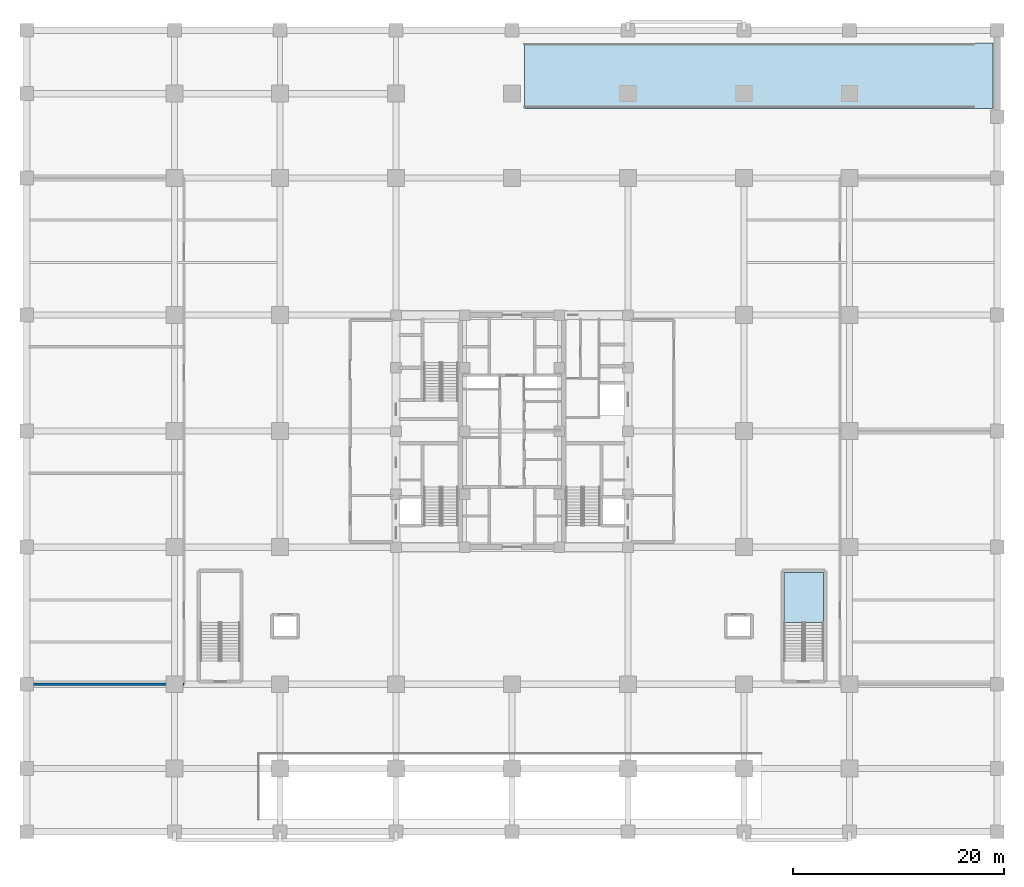
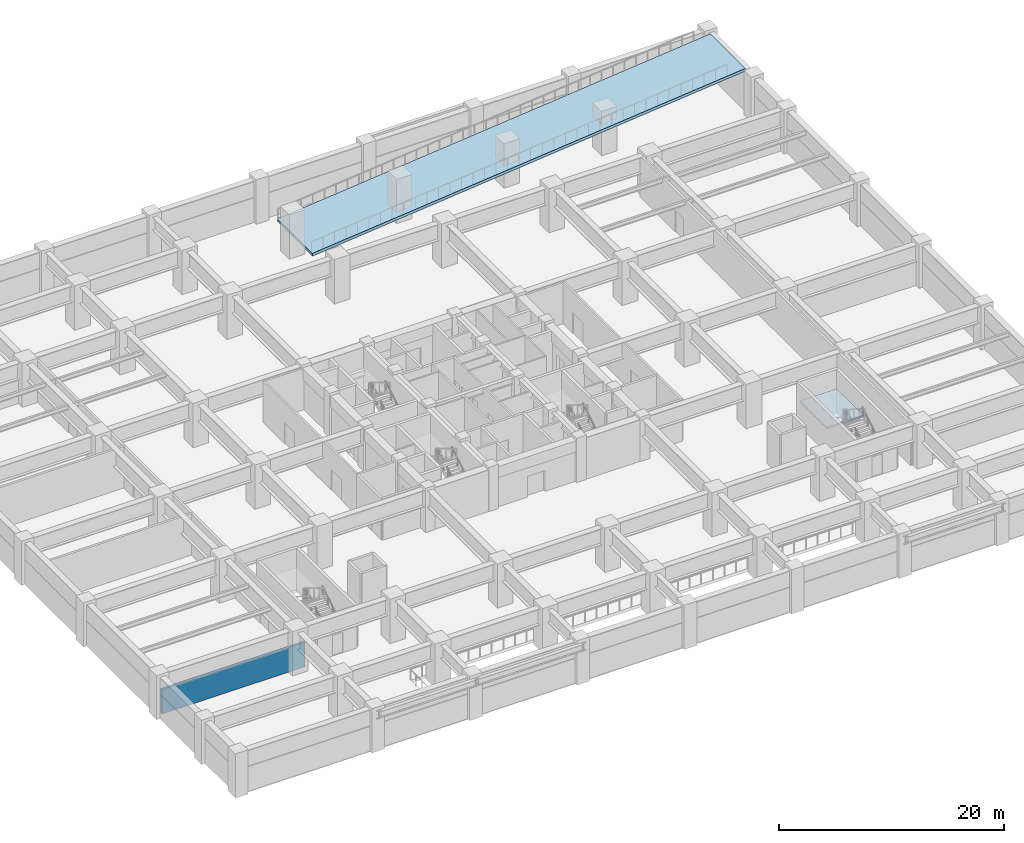
# One storey, part 3 of 13: 2 slabs, 1 wall, 1 element without a shape of its own.
"""IFC4 building model written with IfcOpenShell, lengths in metres."""

from ifc_helpers import new_model, si_unit, direction, frame, frame_2d, origin, place, context, subcontext, project, spatial, polyline, rectangle, outline, extrude, source, transform, mapped, material, layer, layer_set, type_object, element, aggregate, save


model = new_model("IFC4")

# Units and contexts
model_context = context("Model", 3, precision=1e-05, world=origin(), true_north=direction((0.0, 1.0)))
body_context = subcontext(model_context, "Body", "Model", "MODEL_VIEW")
ifc_project = project(units=[si_unit("LENGTHUNIT", "METRE"), si_unit("AREAUNIT", "SQUARE_METRE"), si_unit("VOLUMEUNIT", "CUBIC_METRE"), si_unit("PLANEANGLEUNIT", "RADIAN"), si_unit("MASSUNIT", "GRAM", prefix="KILO")], contexts=[model_context])

# Site, building, storey
site_placement = place(None, origin())
site = spatial("IfcSite", under=ifc_project, at=site_placement, CompositionType="ELEMENT")
building_placement = place(site_placement, origin())
building = spatial("IfcBuilding", under=site, at=building_placement, Name="Khorayat Bourse Tower", CompositionType="ELEMENT")
storey_placement = place(building_placement, frame((0.0, 0.0, -4.800048828125)))
storey = spatial("IfcBuildingStorey", under=building, at=storey_placement, Name="B01", CompositionType="ELEMENT", Elevation=-4.800048828125)

# Stair, slab
ifc_material_1 = material(Name="Concrete C40/50", Category="concrete")
stair_type = type_object("IfcStairType", Name="STR-POD-1800", PredefinedType="HALF_TURN_STAIR", material=ifc_material_1)
stair_placement = place(storey_placement, origin())
stair = element("IfcStair", 1, at=stair_placement, inside=storey, type_object=stair_type, Name="B01 Exit Stair ST-P2", PredefinedType="HALF_TURN_STAIR")
ifc_layer_1 = layer(ifc_material_1, 0.199951171875)
ifc_layer_set_1 = layer_set([ifc_layer_1], Name="Concrete C40/50")
slab_type_1 = type_object("IfcSlabType", Name="SLB-LANDING-200", PredefinedType="LANDING", material=ifc_layer_set_1)
slab_1_placement = place(storey_placement, frame((0.0, 0.0, 2.199951171875)))
slab_1 = element("IfcSlab", 2, at=slab_1_placement, type_object=slab_type_1, Name="ST-P2 landing 1", PredefinedType="LANDING", context=body_context, shape_type="SweptSolid", body=[
    extrude(outline(polyline([(29.550048828125, -18.159912109375), (29.550048828125, -13.39990234375), (25.800048828125, -13.39990234375), (25.800048828125, -18.159912109375), (29.550048828125, -18.159912109375)])), origin(), (0.0, 0.0, 1.0), 0.2001953125),
])
aggregate(stair, [slab_1])

# Slab
ifc_layer_2 = layer(ifc_material_1, 0.300048828125)
ifc_layer_set_2 = layer_set([ifc_layer_2], Name="Concrete C40/50")
slab_type_2 = type_object("IfcSlabType", Name="SLB-RAMP-300", PredefinedType="USERDEFINED", material=ifc_layer_set_2)
slab_2_placement = place(storey_placement, frame((1.199951171875, 30.60009765625, 0.2900390625), z_axis=(-0.101056460238, 0.0, 0.994880692266), x_axis=(0.994880692266, 0.0, 0.101056460238)))
element("IfcSlab", 3, at=slab_2_placement, inside=storey, type_object=slab_type_2, Name="B01-L00 Street Exit Vehicular Ramp Slab", ObjectType="VEHICLE RAMP", PredefinedType="USERDEFINED", context=body_context, shape_type="SweptSolid", body=[
    extrude(outline(polyline([(0.0, 0.0), (44.62861409365062, 0.0), (44.62861409365062, 6.199951171875), (0.0, 6.199951171875), (0.0, 0.0)])), origin(), (0.0, 0.0, -1.0), 0.300048828125),
])

# Wall
ifc_material_2 = material(Name="Aerated concrete blockwork", Category="masonry")
ifc_layer_3 = layer(ifc_material_2, 0.219970703125)
ifc_layer_set_3 = layer_set([ifc_layer_3], Name="Aerated concrete blockwork")
wall_type = type_object("IfcWallType", Name="WAL-PART-FF-220", PredefinedType="PARTITIONING", material=ifc_layer_set_3)
shared_shape = source(origin(), body_context, "Body", "SweptSolid", [
    extrude(rectangle(XDim=14.699951171875, YDim=0.219970703125, at=frame_2d((7.35009765625, 0.0))), origin(), (0.0, 0.0, 1.0), 2.679931640625),
])
wall_placement = place(storey_placement, frame((-45.800048828125, -24.0, 0.0), z_axis=(0.0, 0.0, 1.0), x_axis=(1.0, 0.0, 0.0)))
element("IfcWall", 4, at=wall_placement, inside=storey, type_object=wall_type, Name="B01 Partition WAL-B01-BW-S", PredefinedType="PARTITIONING", context=body_context, shape_type="MappedRepresentation", body=[
    mapped(shared_shape, transform((0.0, 0.0, 0.0), scale=1.0)),
])

save(model, "model.ifc")
